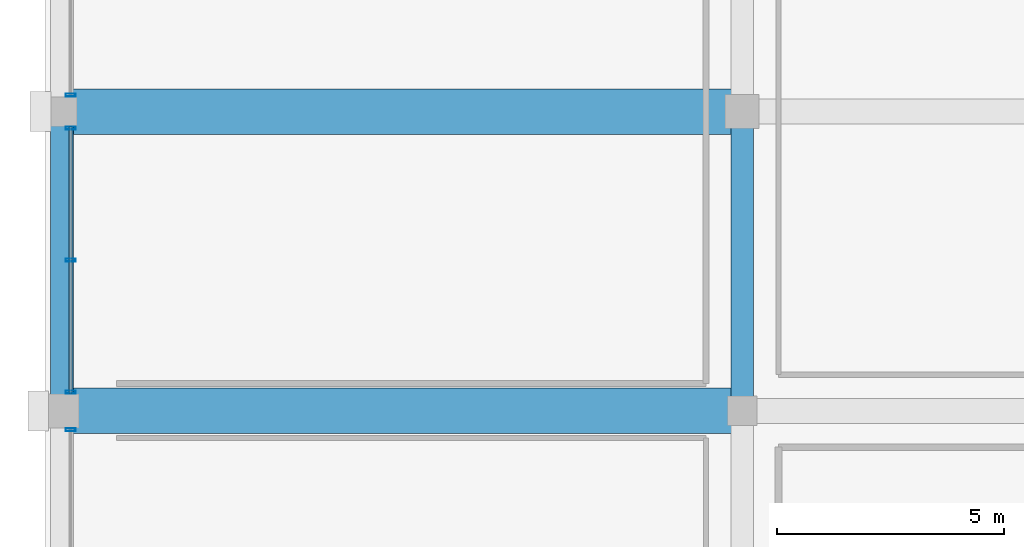
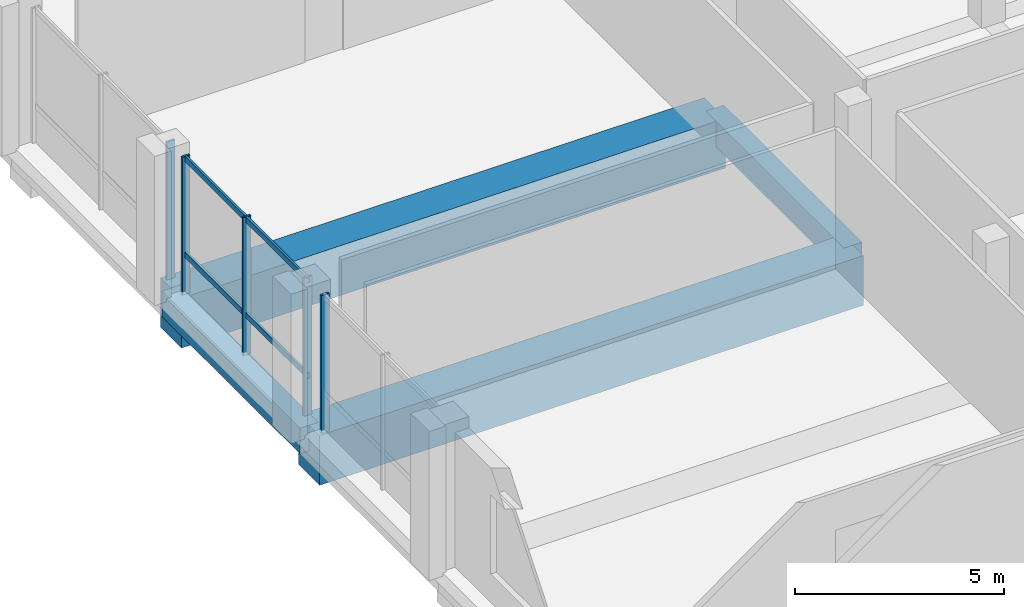
# One storey, part 19 of 64: 7 members, 4 beams, 3 elements without a shape of their own.
"""IFC4 building model written with IfcOpenShell, lengths in metres."""

from ifc_helpers import new_model, si_unit, direction, frame, origin, origin_2d, place, context, subcontext, project, spatial, rectangle, hollow_rectangle, extrude, material, material_profile, profile_set, type_object, element, aggregate, save


model = new_model("IFC4")

# Units and contexts
model_context = context("Model", 3, precision=1e-05, world=origin(), true_north=direction((0.0, 1.0)))
body_context = subcontext(model_context, "Body", "Model", "MODEL_VIEW")
ifc_project = project(units=[si_unit("LENGTHUNIT", "METRE"), si_unit("AREAUNIT", "SQUARE_METRE"), si_unit("VOLUMEUNIT", "CUBIC_METRE"), si_unit("PLANEANGLEUNIT", "RADIAN"), si_unit("MASSUNIT", "GRAM", prefix="KILO")], contexts=[model_context])

# Site, building, storey
site_placement = place(None, origin())
site = spatial("IfcSite", under=ifc_project, at=site_placement, CompositionType="ELEMENT")
building_placement = place(site_placement, origin())
building = spatial("IfcBuilding", under=site, at=building_placement, Name="Akrevak Sports Hall", CompositionType="ELEMENT")
storey_placement = place(building_placement, frame((0.0, 0.0, 4.60009765625)))
storey = spatial("IfcBuildingStorey", under=building, at=storey_placement, Name="L01", CompositionType="ELEMENT", Elevation=4.60009765625)

# Curtain wall, member
ifc_material_1 = material(Name="Anodized Bronze Aluminium & Low-E Glass", Category="aluminium")
curtain_wall_type = type_object("IfcCurtainWallType", Name="ARC-CW-POD-64x44", PredefinedType="NOTDEFINED", material=ifc_material_1)
curtain_wall_1_placement = place(storey_placement, origin())
curtain_wall_1 = element("IfcCurtainWall", 1, at=curtain_wall_1_placement, inside=storey, type_object=curtain_wall_type, Name="Curtain Wall CW-L01-W05", PredefinedType="NOTDEFINED")
ifc_material_2 = material(Name="Anodized Bronze Aluminium", Category="aluminium")
ifc_material_profile_1 = material_profile(ifc_material_2, hollow_rectangle(XDim=0.06494140625, YDim=0.219970703125, WallThickness=0.00439453125, at=origin_2d()), Name="CWM 65x220", Category="aluminium")
ifc_profile_set_1 = profile_set([ifc_material_profile_1], Name="Anodized Bronze Aluminium")
member_type_1 = type_object("IfcMemberType", Name="ARC-CWM-70x160", PredefinedType="MULLION", material=ifc_profile_set_1)
member_1_placement = place(storey_placement, frame((0.18994140625, 48.18505859375, 0.0), z_axis=(0.0, 0.0, 1.0), x_axis=(0.0, -1.0, 0.0)))
member_1 = element("IfcMember", 2, at=member_1_placement, type_object=member_type_1, Name="Curtain Wall Mullion CW-L01-W05-M1", PredefinedType="MULLION", context=body_context, shape_type="SweptSolid", body=[
    extrude(hollow_rectangle(XDim=0.06494140625, YDim=0.219970703125, WallThickness=0.00439453125, at=origin_2d()), origin(), (0.0, 0.0, 1.0), 4.02001953125),
])
aggregate(curtain_wall_1, [member_1])

# Curtain wall, members
curtain_wall_2_placement = place(storey_placement, origin())
curtain_wall_2 = element("IfcCurtainWall", 3, at=curtain_wall_2_placement, inside=storey, type_object=curtain_wall_type, Name="Curtain Wall CW-L01-W06", PredefinedType="NOTDEFINED")
member_2_placement = place(storey_placement, frame((0.18994140625, 54.8349609375, 0.0), z_axis=(0.0, 0.0, 1.0), x_axis=(0.0, -1.0, 0.0)))
member_2 = element("IfcMember", 4, at=member_2_placement, type_object=member_type_1, Name="Curtain Wall Mullion CW-L01-W06-M1", PredefinedType="MULLION", context=body_context, shape_type="SweptSolid", body=[
    extrude(hollow_rectangle(XDim=0.06494140625, YDim=0.219970703125, WallThickness=0.00439453125, at=origin_2d()), origin(), (0.0, 0.0, 1.0), 4.02001953125),
])
member_3_placement = place(storey_placement, frame((0.18994140625, 51.925048828125, 0.0), z_axis=(0.0, 0.0, 1.0), x_axis=(0.0, -1.0, 0.0)))
member_3 = element("IfcMember", 5, at=member_3_placement, type_object=member_type_1, Name="Curtain Wall Mullion CW-L01-W06-M2", PredefinedType="MULLION", context=body_context, shape_type="SweptSolid", body=[
    extrude(hollow_rectangle(XDim=0.06494140625, YDim=0.219970703125, WallThickness=0.00439453125, at=origin_2d()), origin(), (0.0, 0.0, 1.0), 4.02001953125),
])
member_4_placement = place(storey_placement, frame((0.18994140625, 49.014892578125, 0.0), z_axis=(0.0, 0.0, 1.0), x_axis=(0.0, -1.0, 0.0)))
member_4 = element("IfcMember", 6, at=member_4_placement, type_object=member_type_1, Name="Curtain Wall Mullion CW-L01-W06-M3", PredefinedType="MULLION", context=body_context, shape_type="SweptSolid", body=[
    extrude(hollow_rectangle(XDim=0.06494140625, YDim=0.219970703125, WallThickness=0.00439453125, at=origin_2d()), origin(), (0.0, 0.0, 1.0), 4.02001953125),
])

# Curtain wall, member
curtain_wall_3_placement = place(storey_placement, origin())
curtain_wall_3 = element("IfcCurtainWall", 7, at=curtain_wall_3_placement, inside=storey, type_object=curtain_wall_type, Name="Curtain Wall CW-L01-W07", PredefinedType="NOTDEFINED")
member_5_placement = place(storey_placement, frame((0.18994140625, 55.56494140625, 0.0), z_axis=(0.0, 0.0, 1.0), x_axis=(0.0, -1.0, 0.0)))
member_5 = element("IfcMember", 8, at=member_5_placement, type_object=member_type_1, Name="Curtain Wall Mullion CW-L01-W07-M3", PredefinedType="MULLION", context=body_context, shape_type="SweptSolid", body=[
    extrude(hollow_rectangle(XDim=0.06494140625, YDim=0.219970703125, WallThickness=0.00439453125, at=origin_2d()), origin(), (0.0, 0.0, 1.0), 4.02001953125),
])
aggregate(curtain_wall_3, [member_5])

# Member
ifc_material_profile_2 = material_profile(ifc_material_2, hollow_rectangle(XDim=0.06494140625, YDim=0.159912109375, WallThickness=0.00390625, at=origin_2d()), Name="CWT 65x160", Category="aluminium")
ifc_profile_set_2 = profile_set([ifc_material_profile_2], Name="Anodized Bronze Aluminium")
member_type_2 = type_object("IfcMemberType", Name="ARC-CWT-70x130", PredefinedType="USERDEFINED", material=ifc_profile_set_2)
member_6_placement = place(storey_placement, frame((0.18994140625, 54.875, 1.14990234375), z_axis=(0.0, -1.0, 0.0), x_axis=(1.0, 0.0, 0.0)))
member_6 = element("IfcMember", 9, at=member_6_placement, type_object=member_type_2, Name="Curtain Wall Transom CW-L01-W06-T1", ObjectType="TRANSOM", PredefinedType="USERDEFINED", context=body_context, shape_type="SweptSolid", body=[
    extrude(hollow_rectangle(XDim=0.06494140625, YDim=0.159912109375, WallThickness=0.00390625, at=origin_2d()), origin(), (0.0, 0.0, 1.0), 5.89990234375),
])

member_7_placement = place(storey_placement, frame((0.18994140625, 54.875, 3.93994140625), z_axis=(0.0, -1.0, 0.0), x_axis=(1.0, 0.0, 0.0)))
member_7 = element("IfcMember", 10, at=member_7_placement, type_object=member_type_2, Name="Curtain Wall Transom CW-L01-W06-T2", ObjectType="TRANSOM", PredefinedType="USERDEFINED", context=body_context, shape_type="SweptSolid", body=[
    extrude(hollow_rectangle(XDim=0.06494140625, YDim=0.159912109375, WallThickness=0.00390625, at=origin_2d()), origin(), (0.0, 0.0, 1.0), 5.89990234375),
])

aggregate(curtain_wall_2, [member_2, member_3, member_4, member_6, member_7])

# Beams
ifc_material_3 = material(Name="Concrete C50/60", Category="concrete")
ifc_material_profile_3 = material_profile(ifc_material_3, rectangle(XDim=1.0, YDim=1.449951171875, at=origin_2d()), Name="BM 1000x1450", Category="concrete")
ifc_profile_set_3 = profile_set([ifc_material_profile_3], Name="Concrete C50/60")
beam_type_1 = type_object("IfcBeamType", Name="STR-BM-LG1000x1450", PredefinedType="BEAM", material=ifc_profile_set_3)
for number, where, z_axis, x_axis, name in (
    (11, (0.0, 48.60009765625, -0.72509765625), (1.0, 0.0, 0.0), (0.0, 1.0, 0.0), "Girder H/1-3 (L01)"),
    (12, (0.0, 55.199951171875, -0.72509765625), (1.0, 0.0, 0.0), (0.0, 1.0, 0.0), "Girder I/1-3 (L01)"),
):
    element("IfcBeam", number, at=place(storey_placement, frame(where, z_axis=z_axis, x_axis=x_axis)), inside=storey, type_object=beam_type_1, Name=name, PredefinedType="BEAM", context=body_context, shape_type="SweptSolid", body=[
        extrude(rectangle(XDim=1.0, YDim=1.449951171875, at=origin_2d()), origin(), (0.0, 0.0, 1.0), 15.0),
    ])
ifc_material_4 = material(Name="Concrete C40/50", Category="concrete")
ifc_material_profile_4 = material_profile(ifc_material_4, rectangle(XDim=0.5, YDim=0.75, at=origin_2d()), Name="BM 500x750", Category="concrete")
ifc_profile_set_4 = profile_set([ifc_material_profile_4], Name="Concrete C40/50")
beam_type_2 = type_object("IfcBeamType", Name="STR-BM-RC500x750", PredefinedType="BEAM", material=ifc_profile_set_4)
for number, where, z_axis, x_axis, name in (
    (13, (0.0, 48.60009765625, -0.375), (0.0, 1.0, 0.0), (-1.0, 0.0, 0.0), "Girder 1/H-I (L01)"),
    (14, (15.0, 48.60009765625, -0.375), (0.0, 1.0, 0.0), (-1.0, 0.0, 0.0), "Girder 3/H-I (L01)"),
):
    element("IfcBeam", number, at=place(storey_placement, frame(where, z_axis=z_axis, x_axis=x_axis)), inside=storey, type_object=beam_type_2, Name=name, PredefinedType="BEAM", context=body_context, shape_type="SweptSolid", body=[
        extrude(rectangle(XDim=0.5, YDim=0.75, at=origin_2d()), origin(), (0.0, 0.0, 1.0), 6.599853515625),
    ])

save(model, "model.ifc")
